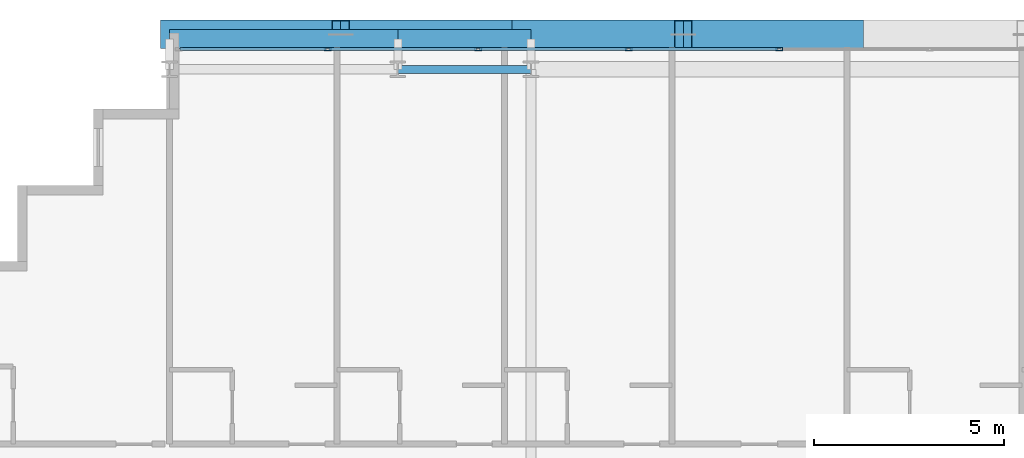
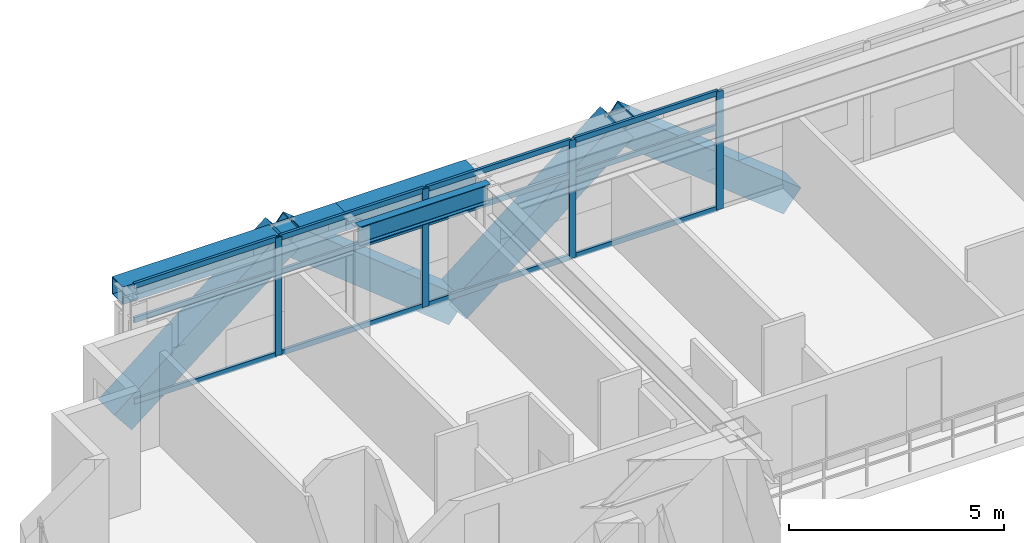
# One storey, part 18 of 36: 20 members, 3 beams, 1 element without a shape of its own.
"""IFC4 building model written with IfcOpenShell, lengths in metres."""

from ifc_helpers import new_model, si_unit, direction, frame, origin, origin_2d, place, context, subcontext, project, spatial, hollow_rectangle, i_section, extrude, source, transform, mapped, material, layer, layer_set, material_profile, profile_set, type_object, element, aggregate, save


model = new_model("IFC4")

# Units and contexts
model_context = context("Model", 3, precision=1e-05, world=origin(), true_north=direction((0.0, 1.0)))
body_context = subcontext(model_context, "Body", "Model", "MODEL_VIEW")
ifc_project = project(units=[si_unit("LENGTHUNIT", "METRE"), si_unit("AREAUNIT", "SQUARE_METRE"), si_unit("VOLUMEUNIT", "CUBIC_METRE"), si_unit("PLANEANGLEUNIT", "RADIAN"), si_unit("MASSUNIT", "GRAM", prefix="KILO")], contexts=[model_context])

# Site, building, storey
site_placement = place(None, origin())
site = spatial("IfcSite", under=ifc_project, at=site_placement, CompositionType="ELEMENT")
building_placement = place(site_placement, origin())
building = spatial("IfcBuilding", under=site, at=building_placement, Name="Ocotamira Hotel", CompositionType="ELEMENT")
storey_placement = place(building_placement, frame((0.0, 0.0, 133.199951171875)))
storey = spatial("IfcBuildingStorey", under=building, at=storey_placement, Name="L33", CompositionType="ELEMENT", Elevation=133.199951171875)

# Beams
ifc_material_1 = material(Name="Steel ASTM A992 Grade 50", Category="steel")
ifc_material_profile_1 = material_profile(ifc_material_1, i_section(OverallWidth=0.2099609375, OverallDepth=0.537109375, WebThickness=0.010986328125, FlangeThickness=0.017333984375, FilletRadius=0.012939453125, at=origin_2d()), Name="W21X68")
ifc_profile_set_1 = profile_set([ifc_material_profile_1], Name="Steel ASTM A992 Grade 50")
beam_type_1 = type_object("IfcBeamType", Name="BM-SEC-W21X68", PredefinedType="JOIST", material=ifc_profile_set_1)
shared_shape_1 = source(origin(), body_context, "Body", "SweptSolid", [
    extrude(i_section(OverallWidth=0.2099609375, OverallDepth=0.537109375, WebThickness=0.010986328125, FlangeThickness=0.017333984375, FilletRadius=0.012939453125, at=origin_2d()), origin(), (0.0, 0.0, 1.0), 3.5),
])
beam_1_placement = place(storey_placement, frame((20.0, 49.050048828125, 3.091552734375), z_axis=(1.0, 0.0, 0.0), x_axis=(0.0, 1.0, 0.0)))
element("IfcBeam", 1, at=beam_1_placement, inside=storey, type_object=beam_type_1, Name="L33 Girder Y49.05 X20-23.5", PredefinedType="JOIST", context=body_context, shape_type="MappedRepresentation", body=[
    mapped(shared_shape_1, transform((0.0, 0.0, 0.0), scale=1.0)),
])
ifc_material_2 = material(Name="Steel ASTM A500 Grade C", Category="steel")
ifc_material_profile_2 = material_profile(ifc_material_2, hollow_rectangle(XDim=0.5, YDim=0.5, WallThickness=0.02001953125, at=origin_2d()), Name="HSS500X500X20")
ifc_profile_set_2 = profile_set([ifc_material_profile_2], Name="Steel ASTM A500 Grade C")
beam_type_2 = type_object("IfcBeamType", Name="BM-SPAN-HSS500", PredefinedType="USERDEFINED", material=ifc_profile_set_2)
shared_shape_2 = source(origin(), body_context, "Body", "SweptSolid", [
    extrude(hollow_rectangle(XDim=0.5, YDim=0.5, WallThickness=0.02001953125, at=origin_2d()), origin(), (0.0, 0.0, 1.0), 6.0),
])
beam_2_placement = place(storey_placement, frame((14.0, 49.85009765625, 3.110107421875), z_axis=(1.0, 0.0, 0.0), x_axis=(0.0, 1.0, 0.0)))
element("IfcBeam", 2, at=beam_2_placement, inside=storey, type_object=beam_type_2, Name="L33 Edge Spandrel N X14-20", ObjectType="SPANDREL", PredefinedType="USERDEFINED", context=body_context, shape_type="MappedRepresentation", body=[
    mapped(shared_shape_2, transform((0.0, 0.0, 0.0), scale=1.0)),
])
shared_shape_3 = source(origin(), body_context, "Body", "SweptSolid", [
    extrude(hollow_rectangle(XDim=0.5, YDim=0.5, WallThickness=0.02001953125, at=origin_2d()), origin(), (0.0, 0.0, 1.0), 3.5),
])
beam_3_placement = place(storey_placement, frame((20.0, 49.85009765625, 3.110107421875), z_axis=(1.0, 0.0, 0.0), x_axis=(0.0, 1.0, 0.0)))
element("IfcBeam", 3, at=beam_3_placement, inside=storey, type_object=beam_type_2, Name="L33 Edge Spandrel N X20-23.5", ObjectType="SPANDREL", PredefinedType="USERDEFINED", context=body_context, shape_type="MappedRepresentation", body=[
    mapped(shared_shape_3, transform((0.0, 0.0, 0.0), scale=1.0)),
])

# Members
ifc_material_3 = material(Name="Pale-metal coated steel ASTM A913 Grade 65", Category="steel")
ifc_material_profile_3 = material_profile(ifc_material_3, hollow_rectangle(XDim=0.75, YDim=0.75, WallThickness=0.028076171875, at=origin_2d()), Name="BOX750X750X28")
ifc_profile_set_3 = profile_set([ifc_material_profile_3], Name="Pale-metal coated steel ASTM A913 Grade 65")
member_type_1 = type_object("IfcMemberType", Name="MEM-EXO-BOX750", PredefinedType="BRACE", material=ifc_profile_set_3)
shared_shape_4 = source(origin(), body_context, "Body", "SweptSolid", [
    extrude(hollow_rectangle(XDim=0.75, YDim=0.75, WallThickness=0.028076171875, at=origin_2d()), origin(), (0.0, 0.0, 1.0), 5.762939453125),
])
for number, where, z_axis, x_axis, name in (
    (4, (14.0, 49.969970703125, -0.489990234375), (0.780860543151, 0.0, 0.624705380279), (0.0, 1.0, 0.0), "L33 Exoskeleton Diagrid N0.1"),
    (5, (23.0, 49.969970703125, -0.489990234375), (-0.780860543151, 0.0, 0.624705380279), (0.0, -1.0, 0.0), "L33 Exoskeleton Diagrid N0.2"),
    (6, (23.0, 49.969970703125, -0.489990234375), (0.780860543151, 0.0, 0.624705380279), (0.0, 1.0, 0.0), "L33 Exoskeleton Diagrid N1.1"),
    (7, (32.0, 49.969970703125, -0.489990234375), (-0.780860543151, 0.0, 0.624705380279), (0.0, -1.0, 0.0), "L33 Exoskeleton Diagrid N1.2"),
):
    element("IfcMember", number, at=place(storey_placement, frame(where, z_axis=z_axis, x_axis=x_axis)), inside=storey, type_object=member_type_1, Name=name, PredefinedType="BRACE", context=body_context, shape_type="MappedRepresentation", body=[
        mapped(shared_shape_4, transform((0.0, 0.0, 0.0), scale=1.0)),
    ])

# Curtain wall, members
ifc_material_4 = material(Name="Anodised pale-metal aluminium and solar glass", Category="aluminium")
ifc_layer = layer(ifc_material_4, 0.179931640625)
ifc_layer_set = layer_set([ifc_layer], Name="Anodised pale-metal aluminium and solar glass")
curtain_wall_type = type_object("IfcCurtainWallType", Name="CW-SYS3-Z2", PredefinedType="NOTDEFINED", material=ifc_layer_set)
curtain_wall_placement = place(storey_placement, origin())
curtain_wall = element("IfcCurtainWall", 8, at=curtain_wall_placement, inside=storey, type_object=curtain_wall_type, Name="L33 Curtain Wall CW-3 CW-L33-N", PredefinedType="NOTDEFINED")
ifc_material_5 = material(Name="Anodised pale-metal aluminium 6063-T6", Category="aluminium")
ifc_material_profile_4 = material_profile(ifc_material_5, hollow_rectangle(XDim=0.074951171875, YDim=0.14990234375, WallThickness=0.006103515625, at=origin_2d()), Name="HSS150X75X6")
ifc_profile_set_4 = profile_set([ifc_material_profile_4], Name="Anodised pale-metal aluminium 6063-T6")
member_type_2 = type_object("IfcMemberType", Name="CWT-150X75", PredefinedType="USERDEFINED", material=ifc_profile_set_4)
shared_shape_5 = source(origin(), body_context, "Body", "SweptSolid", [
    extrude(hollow_rectangle(XDim=0.074951171875, YDim=0.14990234375, WallThickness=0.006103515625, at=origin_2d()), origin(), (0.0, 0.0, 1.0), 3.83544921875),
])
member_1_placement = place(storey_placement, frame((14.280029296875, 49.580078125, 0.03759765625), z_axis=(1.0, 0.0, 0.0), x_axis=(0.0, 1.0, 0.0)))
member_1 = element("IfcMember", 9, at=member_1_placement, type_object=member_type_2, Name="CW-3 transom 1.1", ObjectType="TRANSOM", PredefinedType="USERDEFINED", context=body_context, shape_type="MappedRepresentation", body=[
    mapped(shared_shape_5, transform((0.0, 0.0, 0.0), scale=1.0)),
])
member_2_placement = place(storey_placement, frame((14.280029296875, 49.580078125, 2.35009765625), z_axis=(1.0, 0.0, 0.0), x_axis=(0.0, 1.0, 0.0)))
member_2 = element("IfcMember", 10, at=member_2_placement, type_object=member_type_2, Name="CW-3 transom 1.2", ObjectType="TRANSOM", PredefinedType="USERDEFINED", context=body_context, shape_type="MappedRepresentation", body=[
    mapped(shared_shape_5, transform((0.0, 0.0, 0.0), scale=1.0)),
])
member_3_placement = place(storey_placement, frame((14.280029296875, 49.580078125, 3.322509765625), z_axis=(1.0, 0.0, 0.0), x_axis=(0.0, 1.0, 0.0)))
member_3 = element("IfcMember", 11, at=member_3_placement, type_object=member_type_2, Name="CW-3 transom 1.3", ObjectType="TRANSOM", PredefinedType="USERDEFINED", context=body_context, shape_type="MappedRepresentation", body=[
    mapped(shared_shape_5, transform((0.0, 0.0, 0.0), scale=1.0)),
])
shared_shape_6 = source(origin(), body_context, "Body", "SweptSolid", [
    extrude(hollow_rectangle(XDim=0.074951171875, YDim=0.14990234375, WallThickness=0.006103515625, at=origin_2d()), origin(), (0.0, 0.0, 1.0), 3.87548828125),
])
member_4_placement = place(storey_placement, frame((18.195556640625, 49.580078125, 0.03759765625), z_axis=(1.0, 0.0, 0.0), x_axis=(0.0, 1.0, 0.0)))
member_4 = element("IfcMember", 12, at=member_4_placement, type_object=member_type_2, Name="CW-3 transom 2.1", ObjectType="TRANSOM", PredefinedType="USERDEFINED", context=body_context, shape_type="MappedRepresentation", body=[
    mapped(shared_shape_6, transform((0.0, 0.0, 0.0), scale=1.0)),
])
member_5_placement = place(storey_placement, frame((18.195556640625, 49.580078125, 2.35009765625), z_axis=(1.0, 0.0, 0.0), x_axis=(0.0, 1.0, 0.0)))
member_5 = element("IfcMember", 13, at=member_5_placement, type_object=member_type_2, Name="CW-3 transom 2.2", ObjectType="TRANSOM", PredefinedType="USERDEFINED", context=body_context, shape_type="MappedRepresentation", body=[
    mapped(shared_shape_6, transform((0.0, 0.0, 0.0), scale=1.0)),
])
member_6_placement = place(storey_placement, frame((18.195556640625, 49.580078125, 3.322509765625), z_axis=(1.0, 0.0, 0.0), x_axis=(0.0, 1.0, 0.0)))
member_6 = element("IfcMember", 14, at=member_6_placement, type_object=member_type_2, Name="CW-3 transom 2.3", ObjectType="TRANSOM", PredefinedType="USERDEFINED", context=body_context, shape_type="MappedRepresentation", body=[
    mapped(shared_shape_6, transform((0.0, 0.0, 0.0), scale=1.0)),
])
member_7_placement = place(storey_placement, frame((22.151123046875, 49.580078125, 0.03759765625), z_axis=(1.0, 0.0, 0.0), x_axis=(0.0, 1.0, 0.0)))
member_7 = element("IfcMember", 15, at=member_7_placement, type_object=member_type_2, Name="CW-3 transom 3.1", ObjectType="TRANSOM", PredefinedType="USERDEFINED", context=body_context, shape_type="MappedRepresentation", body=[
    mapped(shared_shape_6, transform((0.0, 0.0, 0.0), scale=1.0)),
])
member_8_placement = place(storey_placement, frame((22.151123046875, 49.580078125, 2.35009765625), z_axis=(1.0, 0.0, 0.0), x_axis=(0.0, 1.0, 0.0)))
member_8 = element("IfcMember", 16, at=member_8_placement, type_object=member_type_2, Name="CW-3 transom 3.2", ObjectType="TRANSOM", PredefinedType="USERDEFINED", context=body_context, shape_type="MappedRepresentation", body=[
    mapped(shared_shape_6, transform((0.0, 0.0, 0.0), scale=1.0)),
])
member_9_placement = place(storey_placement, frame((22.151123046875, 49.580078125, 3.322509765625), z_axis=(1.0, 0.0, 0.0), x_axis=(0.0, 1.0, 0.0)))
member_9 = element("IfcMember", 17, at=member_9_placement, type_object=member_type_2, Name="CW-3 transom 3.3", ObjectType="TRANSOM", PredefinedType="USERDEFINED", context=body_context, shape_type="MappedRepresentation", body=[
    mapped(shared_shape_6, transform((0.0, 0.0, 0.0), scale=1.0)),
])
member_10_placement = place(storey_placement, frame((26.106689453125, 49.580078125, 0.03759765625), z_axis=(1.0, 0.0, 0.0), x_axis=(0.0, 1.0, 0.0)))
member_10 = element("IfcMember", 18, at=member_10_placement, type_object=member_type_2, Name="CW-3 transom 4.1", ObjectType="TRANSOM", PredefinedType="USERDEFINED", context=body_context, shape_type="MappedRepresentation", body=[
    mapped(shared_shape_6, transform((0.0, 0.0, 0.0), scale=1.0)),
])
member_11_placement = place(storey_placement, frame((26.106689453125, 49.580078125, 2.35009765625), z_axis=(1.0, 0.0, 0.0), x_axis=(0.0, 1.0, 0.0)))
member_11 = element("IfcMember", 19, at=member_11_placement, type_object=member_type_2, Name="CW-3 transom 4.2", ObjectType="TRANSOM", PredefinedType="USERDEFINED", context=body_context, shape_type="MappedRepresentation", body=[
    mapped(shared_shape_6, transform((0.0, 0.0, 0.0), scale=1.0)),
])
member_12_placement = place(storey_placement, frame((26.106689453125, 49.580078125, 3.322509765625), z_axis=(1.0, 0.0, 0.0), x_axis=(0.0, 1.0, 0.0)))
member_12 = element("IfcMember", 20, at=member_12_placement, type_object=member_type_2, Name="CW-3 transom 4.3", ObjectType="TRANSOM", PredefinedType="USERDEFINED", context=body_context, shape_type="MappedRepresentation", body=[
    mapped(shared_shape_6, transform((0.0, 0.0, 0.0), scale=1.0)),
])
ifc_material_profile_5 = material_profile(ifc_material_5, hollow_rectangle(XDim=0.080078125, YDim=0.179931640625, WallThickness=0.006103515625, at=origin_2d()), Name="HSS180X80X6")
ifc_profile_set_5 = profile_set([ifc_material_profile_5], Name="Anodised pale-metal aluminium 6063-T6")
member_type_3 = type_object("IfcMemberType", Name="CWM-180X75", PredefinedType="MULLION", material=ifc_profile_set_5)
shared_shape_7 = source(origin(), body_context, "Body", "SweptSolid", [
    extrude(hollow_rectangle(XDim=0.080078125, YDim=0.179931640625, WallThickness=0.006103515625, at=origin_2d()), origin(), (0.0, 0.0, 1.0), 3.360107421875),
])
member_13_placement = place(storey_placement, frame((18.155517578125, 49.580078125, 0.0), z_axis=(0.0, 0.0, 1.0), x_axis=(0.0, 1.0, 0.0)))
member_13 = element("IfcMember", 21, at=member_13_placement, type_object=member_type_3, Name="CW-3 mullion 2", PredefinedType="MULLION", context=body_context, shape_type="MappedRepresentation", body=[
    mapped(shared_shape_7, transform((0.0, 0.0, 0.0), scale=1.0)),
])
member_14_placement = place(storey_placement, frame((22.111083984375, 49.580078125, 0.0), z_axis=(0.0, 0.0, 1.0), x_axis=(0.0, 1.0, 0.0)))
member_14 = element("IfcMember", 22, at=member_14_placement, type_object=member_type_3, Name="CW-3 mullion 3", PredefinedType="MULLION", context=body_context, shape_type="MappedRepresentation", body=[
    mapped(shared_shape_7, transform((0.0, 0.0, 0.0), scale=1.0)),
])
member_15_placement = place(storey_placement, frame((26.066650390625, 49.580078125, 0.0), z_axis=(0.0, 0.0, 1.0), x_axis=(0.0, 1.0, 0.0)))
member_15 = element("IfcMember", 23, at=member_15_placement, type_object=member_type_3, Name="CW-3 mullion 4", PredefinedType="MULLION", context=body_context, shape_type="MappedRepresentation", body=[
    mapped(shared_shape_7, transform((0.0, 0.0, 0.0), scale=1.0)),
])
member_16_placement = place(storey_placement, frame((30.022216796875, 49.580078125, 0.0), z_axis=(0.0, 0.0, 1.0), x_axis=(0.0, 1.0, 0.0)))
member_16 = element("IfcMember", 24, at=member_16_placement, type_object=member_type_3, Name="CW-3 mullion 5", PredefinedType="MULLION", context=body_context, shape_type="MappedRepresentation", body=[
    mapped(shared_shape_7, transform((0.0, 0.0, 0.0), scale=1.0)),
])
aggregate(curtain_wall, [member_13, member_14, member_15, member_16, member_1, member_2, member_3, member_4, member_5, member_6, member_7, member_8, member_9, member_10, member_11, member_12])

save(model, "model.ifc")
